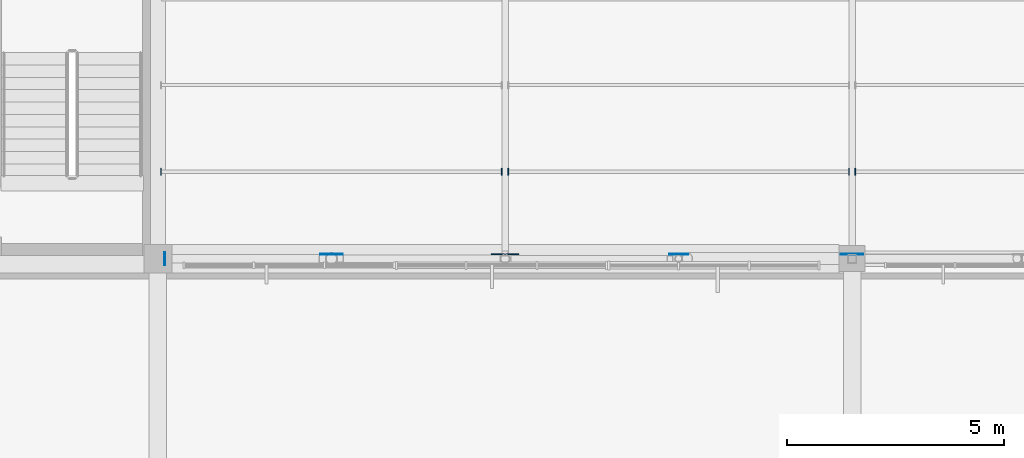
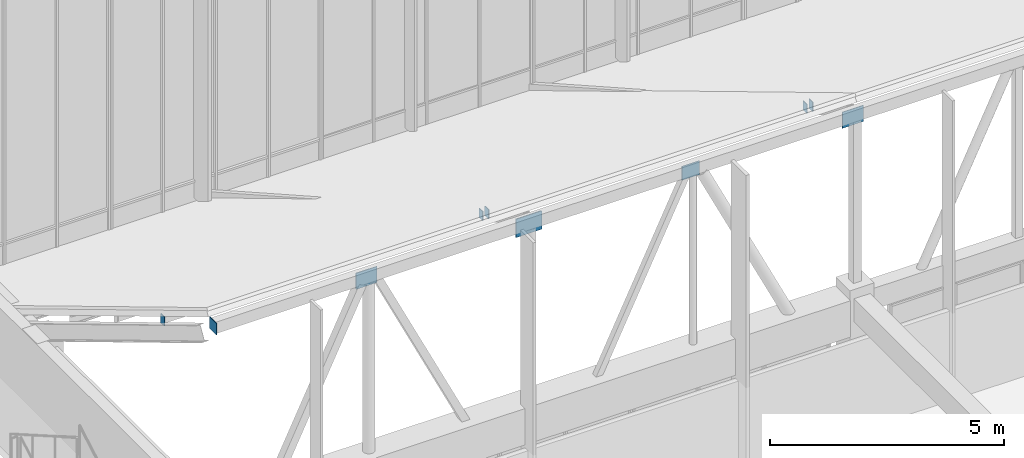
# One storey, part 84 of 155: 10 plates.
"""IFC4 building model written with IfcOpenShell, lengths in metres."""

from ifc_helpers import new_model, si_unit, direction, frame, origin, origin_2d, place, context, subcontext, project, spatial, rectangle, extrude, material, layer, layer_set, type_object, element, save


model = new_model("IFC4")

# Units and contexts
model_context = context("Model", 3, precision=1e-05, world=origin(), true_north=direction((0.0, 1.0)))
body_context = subcontext(model_context, "Body", "Model", "MODEL_VIEW")
ifc_project = project(units=[si_unit("LENGTHUNIT", "METRE"), si_unit("AREAUNIT", "SQUARE_METRE"), si_unit("VOLUMEUNIT", "CUBIC_METRE"), si_unit("PLANEANGLEUNIT", "RADIAN"), si_unit("MASSUNIT", "GRAM", prefix="KILO")], contexts=[model_context])

# Site, building, storey
site_placement = place(None, origin())
site = spatial("IfcSite", under=ifc_project, at=site_placement, CompositionType="ELEMENT")
building_placement = place(site_placement, origin())
building = spatial("IfcBuilding", under=site, at=building_placement, Name="Larkveld Mobility Hub", CompositionType="ELEMENT")
storey_placement = place(building_placement, frame((0.0, 0.0, 8.39990234375)))
storey = spatial("IfcBuildingStorey", under=building, at=storey_placement, Name="L02", CompositionType="ELEMENT", Elevation=8.39990234375)

# Plates
ifc_material = material(Name="Steel S355JR", Category="steel")
ifc_layer_1 = layer(ifc_material, 0.02001953125, Name="Steel S355JR", Category="steel")
ifc_layer_set_1 = layer_set([ifc_layer_1], Name="Steel S355JR")
plate_type_1 = type_object("IfcPlateType", Name="PT-EC01", PredefinedType="USERDEFINED", material=ifc_layer_set_1)
plate_1_placement = place(storey_placement, frame((152.159912109375, 28.0, 7.80029296875), z_axis=(0.0, 0.0, 1.0), x_axis=(1.0, 0.0, 0.0)))
element("IfcPlate", 1, at=plate_1_placement, inside=storey, type_object=plate_type_1, Name="Hollow Chord End Cap Plate EC-008", ObjectType="GUSSET PLATE", PredefinedType="USERDEFINED", context=body_context, shape_type="SweptSolid", body=[
    extrude(rectangle(XDim=0.02001953125, YDim=0.300048828125, at=origin_2d()), origin(), (0.0, 0.0, 1.0), 0.300048828125),
])
ifc_layer_2 = layer(ifc_material, 0.02001953125, Name="Steel S355JR", Category="steel")
ifc_layer_set_2 = layer_set([ifc_layer_2], Name="Steel S355JR")
plate_type_2 = type_object("IfcPlateType", Name="PT-EC02", PredefinedType="USERDEFINED", material=ifc_layer_set_2)
for number, where, z_axis, x_axis, name in (
    (2, (152.072021484375, 30.0, 6.80712890625), (0.0, 0.0, 1.0), (1.0, 0.0, 0.0), "Hollow Purlin End Cap Plate PEC-064"),
    (3, (159.927978515625, 30.0, 6.80712890625), (0.0, 0.0, 1.0), (1.0, 0.0, 0.0), "Hollow Purlin End Cap Plate PEC-065"),
    (4, (160.072021484375, 30.0, 6.80712890625), (0.0, 0.0, 1.0), (1.0, 0.0, 0.0), "Hollow Purlin End Cap Plate PEC-066"),
    (5, (167.927978515625, 30.0, 6.80712890625), (0.0, 0.0, 1.0), (1.0, 0.0, 0.0), "Hollow Purlin End Cap Plate PEC-067"),
    (6, (168.072021484375, 30.0, 6.80712890625), (0.0, 0.0, 1.0), (1.0, 0.0, 0.0), "Hollow Purlin End Cap Plate PEC-068"),
):
    element("IfcPlate", number, at=place(storey_placement, frame(where, z_axis=z_axis, x_axis=x_axis)), inside=storey, type_object=plate_type_2, Name=name, ObjectType="GUSSET PLATE", PredefinedType="USERDEFINED", context=body_context, shape_type="SweptSolid", body=[
        extrude(rectangle(XDim=0.02001953125, YDim=0.159912109375, at=origin_2d()), origin(), (0.0, 0.0, 1.0), 0.239990234375),
    ])
ifc_layer_3 = layer(ifc_material, 0.02001953125, Name="Steel S355JR", Category="steel")
ifc_layer_set_3 = layer_set([ifc_layer_3], Name="Steel S355JR")
plate_type_3 = type_object("IfcPlateType", Name="PT-GS01", PredefinedType="USERDEFINED", material=ifc_layer_set_3)
for number, where, z_axis, x_axis, name in (
    (7, (156.0, 28.10009765625, 7.590087890625), (0.0, 0.0, 1.0), (1.0, 0.0, 0.0), "Truss Node Gusset Plate TN-001"),
    (8, (168.0, 28.10009765625, 7.590087890625), (0.0, 0.0, 1.0), (1.0, 0.0, 0.0), "Truss Node Gusset Plate TN-004"),
):
    element("IfcPlate", number, at=place(storey_placement, frame(where, z_axis=z_axis, x_axis=x_axis)), inside=storey, type_object=plate_type_3, Name=name, ObjectType="GUSSET PLATE", PredefinedType="USERDEFINED", context=body_context, shape_type="SweptSolid", body=[
        extrude(rectangle(XDim=0.52001953125, YDim=0.02001953125, at=origin_2d()), origin(), (0.0, 0.0, 1.0), 0.419921875),
    ])
ifc_layer_4 = layer(ifc_material, 0.02392578125, Name="Steel S355JR", Category="steel")
ifc_layer_set_4 = layer_set([ifc_layer_4], Name="Steel S355JR")
plate_type_4 = type_object("IfcPlateType", Name="PT-GS02", PredefinedType="USERDEFINED", material=ifc_layer_set_4)
plate_2_placement = place(storey_placement, frame((160.0, 28.10009765625, 7.56005859375), z_axis=(0.0, 0.0, 1.0), x_axis=(1.0, 0.0, 0.0)))
element("IfcPlate", 9, at=plate_2_placement, inside=storey, type_object=plate_type_4, Name="Truss Node Gusset Plate TN-002", ObjectType="GUSSET PLATE", PredefinedType="USERDEFINED", context=body_context, shape_type="SweptSolid", body=[
    extrude(rectangle(XDim=0.639892578125, YDim=0.02392578125, at=origin_2d()), origin(), (0.0, 0.0, 1.0), 0.47998046875),
])
ifc_layer_5 = layer(ifc_material, 0.01806640625, Name="Steel S355JR", Category="steel")
ifc_layer_set_5 = layer_set([ifc_layer_5], Name="Steel S355JR")
plate_type_5 = type_object("IfcPlateType", Name="PT-GS03", PredefinedType="USERDEFINED", material=ifc_layer_set_5)
plate_3_placement = place(storey_placement, frame((164.0, 28.10009765625, 7.6201171875), z_axis=(0.0, 0.0, 1.0), x_axis=(1.0, 0.0, 0.0)))
element("IfcPlate", 10, at=plate_3_placement, inside=storey, type_object=plate_type_5, Name="Truss Node Gusset Plate TN-003", ObjectType="GUSSET PLATE", PredefinedType="USERDEFINED", context=body_context, shape_type="SweptSolid", body=[
    extrude(rectangle(XDim=0.43994140625, YDim=0.01806640625, at=origin_2d()), origin(), (0.0, 0.0, 1.0), 0.360107421875),
])

save(model, "model.ifc")
